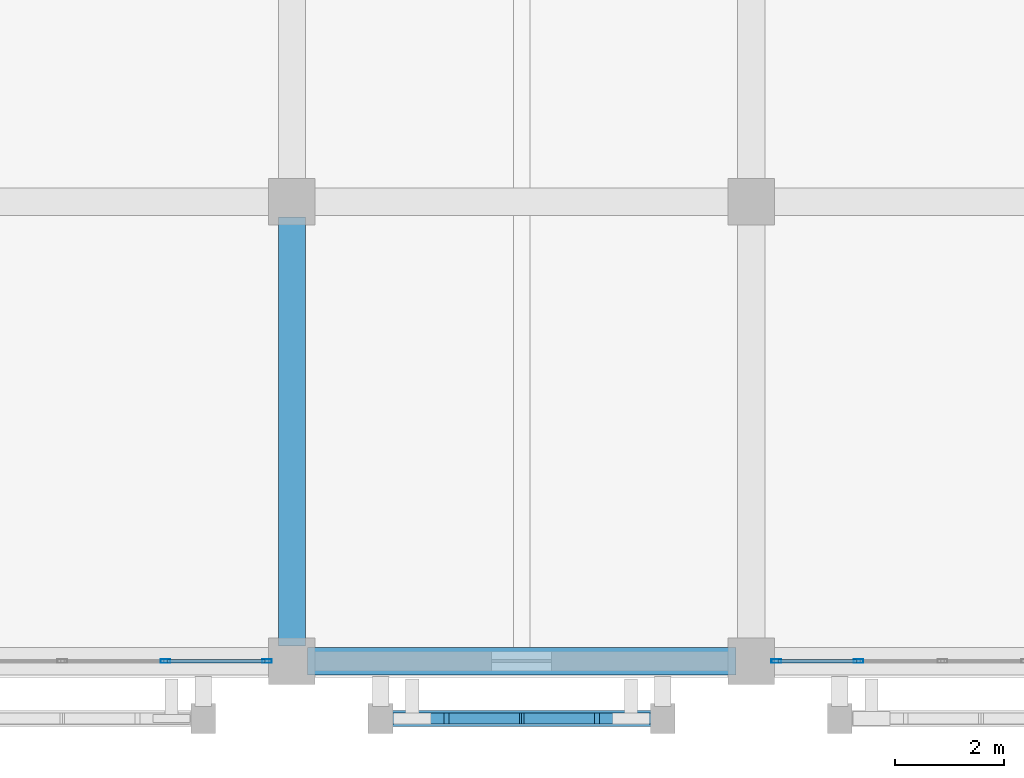
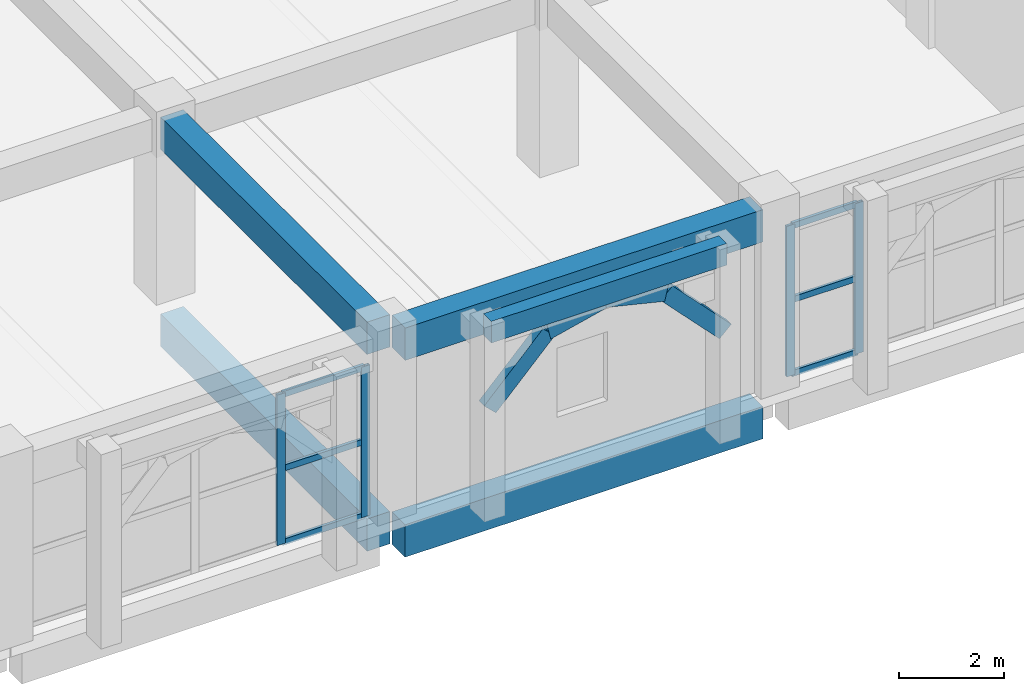
# One storey, part 11 of 129: 14 members, 5 beams, 2 elements without a shape of their own.
"""IFC4 building model written with IfcOpenShell, lengths in metres."""

from ifc_helpers import new_model, si_unit, direction, frame, origin, origin_2d, place, context, subcontext, project, spatial, rectangle, hollow_rectangle, extrude, material, layer, layer_set, material_profile, profile_set, type_object, element, aggregate, save


model = new_model("IFC4")

# Units and contexts
model_context = context("Model", 3, precision=1e-05, world=origin(), true_north=direction((0.0, 1.0)))
body_context = subcontext(model_context, "Body", "Model", "MODEL_VIEW")
ifc_project = project(units=[si_unit("LENGTHUNIT", "METRE"), si_unit("AREAUNIT", "SQUARE_METRE"), si_unit("VOLUMEUNIT", "CUBIC_METRE"), si_unit("PLANEANGLEUNIT", "RADIAN"), si_unit("MASSUNIT", "GRAM", prefix="KILO")], contexts=[model_context])

# Site, building, storey
site_placement = place(None, origin())
site = spatial("IfcSite", under=ifc_project, at=site_placement, CompositionType="ELEMENT")
building_placement = place(site_placement, origin())
building = spatial("IfcBuilding", under=site, at=building_placement, Name="Xazarin Passage Department Store", CompositionType="ELEMENT")
storey_placement = place(building_placement, frame((0.0, 0.0, 9.89990234375)))
storey = spatial("IfcBuildingStorey", under=building, at=storey_placement, Name="L02", CompositionType="ELEMENT", Elevation=9.89990234375)

# Curtain wall, members
ifc_material_1 = material(Name="Bronze anodised aluminium", Category="aluminium")
ifc_layer = layer(ifc_material_1, 0.18994140625)
ifc_layer_set = layer_set([ifc_layer], Name="Bronze anodised aluminium")
curtain_wall_type = type_object("IfcCurtainWallType", Name="ARC-CW-FDH1", PredefinedType="NOTDEFINED", material=ifc_layer_set)
curtain_wall_1_placement = place(storey_placement, origin())
curtain_wall_1 = element("IfcCurtainWall", 1, at=curtain_wall_1_placement, inside=storey, type_object=curtain_wall_type, Name="L02 V3 Curtain Wall 132", PredefinedType="NOTDEFINED")
ifc_material_profile_1 = material_profile(ifc_material_1, hollow_rectangle(XDim=0.06494140625, YDim=0.179931640625, WallThickness=0.00390625, at=origin_2d()), Name="ALU 65x180")
ifc_profile_set_1 = profile_set([ifc_material_profile_1], Name="Bronze anodised aluminium")
member_type_1 = type_object("IfcMemberType", Name="ARC-CWM-65x180", PredefinedType="MULLION", material=ifc_profile_set_1)
member_1_placement = place(storey_placement, frame((48.08740234375, 0.0, 0.0), z_axis=(0.0, 0.0, 1.0), x_axis=(0.0, 1.0, 0.0)))
member_1 = element("IfcMember", 2, at=member_1_placement, type_object=member_type_1, Name="CW5 mullion 4", PredefinedType="MULLION", context=body_context, shape_type="SweptSolid", body=[
    extrude(hollow_rectangle(XDim=0.06494140625, YDim=0.179931640625, WallThickness=0.00390625, at=origin_2d()), origin(), (0.0, 0.0, 1.0), 3.489990234375),
])
member_2_placement = place(storey_placement, frame((49.9423828125, 0.0, 0.0), z_axis=(0.0, 0.0, 1.0), x_axis=(0.0, 1.0, 0.0)))
member_2 = element("IfcMember", 3, at=member_2_placement, type_object=member_type_1, Name="CW5 mullion 5", PredefinedType="MULLION", context=body_context, shape_type="SweptSolid", body=[
    extrude(hollow_rectangle(XDim=0.06494140625, YDim=0.179931640625, WallThickness=0.00390625, at=origin_2d()), origin(), (0.0, 0.0, 1.0), 3.489990234375),
])

curtain_wall_2_placement = place(storey_placement, origin())
curtain_wall_2 = element("IfcCurtainWall", 4, at=curtain_wall_2_placement, inside=storey, type_object=curtain_wall_type, Name="L02 V3 Curtain Wall 133", PredefinedType="NOTDEFINED")
member_3_placement = place(storey_placement, frame((59.257568359375, 0.0, 0.0), z_axis=(0.0, 0.0, 1.0), x_axis=(0.0, 1.0, 0.0)))
member_3 = element("IfcMember", 5, at=member_3_placement, type_object=member_type_1, Name="CW5 mullion 1", PredefinedType="MULLION", context=body_context, shape_type="SweptSolid", body=[
    extrude(hollow_rectangle(XDim=0.06494140625, YDim=0.179931640625, WallThickness=0.00390625, at=origin_2d()), origin(), (0.0, 0.0, 1.0), 3.489990234375),
])
member_4_placement = place(storey_placement, frame((60.760009765625, 0.0, 0.0), z_axis=(0.0, 0.0, 1.0), x_axis=(0.0, 1.0, 0.0)))
member_4 = element("IfcMember", 6, at=member_4_placement, type_object=member_type_1, Name="CW5 mullion 2", PredefinedType="MULLION", context=body_context, shape_type="SweptSolid", body=[
    extrude(hollow_rectangle(XDim=0.06494140625, YDim=0.179931640625, WallThickness=0.00390625, at=origin_2d()), origin(), (0.0, 0.0, 1.0), 3.489990234375),
])

# Member
ifc_material_profile_2 = material_profile(ifc_material_1, hollow_rectangle(XDim=0.06494140625, YDim=0.139892578125, WallThickness=0.00390625, at=origin_2d()), Name="ALU 65x140")
ifc_profile_set_2 = profile_set([ifc_material_profile_2], Name="Bronze anodised aluminium")
member_type_2 = type_object("IfcMemberType", Name="ARC-CWT-65x140", PredefinedType="USERDEFINED", material=ifc_profile_set_2)
member_5_placement = place(storey_placement, frame((48.1201171875, 0.0, 0.03271484375), z_axis=(1.0, 0.0, 0.0), x_axis=(0.0, 1.0, 0.0)))
member_5 = element("IfcMember", 7, at=member_5_placement, type_object=member_type_2, Name="CW5 transom 4.1", ObjectType="TRANSOM", PredefinedType="USERDEFINED", context=body_context, shape_type="SweptSolid", body=[
    extrude(hollow_rectangle(XDim=0.06494140625, YDim=0.139892578125, WallThickness=0.00390625, at=origin_2d()), origin(), (0.0, 0.0, 1.0), 1.789794921875),
])

member_6_placement = place(storey_placement, frame((48.1201171875, 0.0, 1.7451171875), z_axis=(1.0, 0.0, 0.0), x_axis=(0.0, 1.0, 0.0)))
member_6 = element("IfcMember", 8, at=member_6_placement, type_object=member_type_2, Name="CW5 transom 4.2", ObjectType="TRANSOM", PredefinedType="USERDEFINED", context=body_context, shape_type="SweptSolid", body=[
    extrude(hollow_rectangle(XDim=0.06494140625, YDim=0.139892578125, WallThickness=0.00390625, at=origin_2d()), origin(), (0.0, 0.0, 1.0), 1.789794921875),
])

member_7_placement = place(storey_placement, frame((48.1201171875, 0.0, 3.45751953125), z_axis=(1.0, 0.0, 0.0), x_axis=(0.0, 1.0, 0.0)))
member_7 = element("IfcMember", 9, at=member_7_placement, type_object=member_type_2, Name="CW5 transom 4.3", ObjectType="TRANSOM", PredefinedType="USERDEFINED", context=body_context, shape_type="SweptSolid", body=[
    extrude(hollow_rectangle(XDim=0.06494140625, YDim=0.139892578125, WallThickness=0.00390625, at=origin_2d()), origin(), (0.0, 0.0, 1.0), 1.789794921875),
])

aggregate(curtain_wall_1, [member_1, member_2, member_5, member_6, member_7])

member_8_placement = place(storey_placement, frame((59.2900390625, 0.0, 0.03271484375), z_axis=(1.0, 0.0, 0.0), x_axis=(0.0, 1.0, 0.0)))
member_8 = element("IfcMember", 10, at=member_8_placement, type_object=member_type_2, Name="CW5 transom 1.1", ObjectType="TRANSOM", PredefinedType="USERDEFINED", context=body_context, shape_type="SweptSolid", body=[
    extrude(hollow_rectangle(XDim=0.06494140625, YDim=0.139892578125, WallThickness=0.00390625, at=origin_2d()), origin(), (0.0, 0.0, 1.0), 1.4375),
])

member_9_placement = place(storey_placement, frame((59.2900390625, 0.0, 1.7451171875), z_axis=(1.0, 0.0, 0.0), x_axis=(0.0, 1.0, 0.0)))
member_9 = element("IfcMember", 11, at=member_9_placement, type_object=member_type_2, Name="CW5 transom 1.2", ObjectType="TRANSOM", PredefinedType="USERDEFINED", context=body_context, shape_type="SweptSolid", body=[
    extrude(hollow_rectangle(XDim=0.06494140625, YDim=0.139892578125, WallThickness=0.00390625, at=origin_2d()), origin(), (0.0, 0.0, 1.0), 1.4375),
])

member_10_placement = place(storey_placement, frame((59.2900390625, 0.0, 3.45751953125), z_axis=(1.0, 0.0, 0.0), x_axis=(0.0, 1.0, 0.0)))
member_10 = element("IfcMember", 12, at=member_10_placement, type_object=member_type_2, Name="CW5 transom 1.3", ObjectType="TRANSOM", PredefinedType="USERDEFINED", context=body_context, shape_type="SweptSolid", body=[
    extrude(hollow_rectangle(XDim=0.06494140625, YDim=0.139892578125, WallThickness=0.00390625, at=origin_2d()), origin(), (0.0, 0.0, 1.0), 1.4375),
])

aggregate(curtain_wall_2, [member_3, member_4, member_8, member_9, member_10])

# Beams
ifc_material_2 = material(Name="Concrete C35/45", Category="concrete")
ifc_material_profile_3 = material_profile(ifc_material_2, rectangle(XDim=0.300048828125, YDim=0.5, at=origin_2d()), Name="RC 300x500")
ifc_profile_set_3 = profile_set([ifc_material_profile_3], Name="Concrete C35/45")
beam_type_1 = type_object("IfcBeamType", Name="STR-BM-LN300x500", PredefinedType="LINTEL", material=ifc_profile_set_3)
beam_placement = place(storey_placement, frame((52.02001953125, -1.050048828125, 4.25), z_axis=(1.0, 0.0, 0.0), x_axis=(0.0, 1.0, 0.0)))
element("IfcBeam", 13, at=beam_placement, inside=storey, type_object=beam_type_1, Name="L02 V3 Colonnade Spandrel Beam 032", PredefinedType="LINTEL", context=body_context, shape_type="SweptSolid", body=[
    extrude(rectangle(XDim=0.300048828125, YDim=0.5, at=origin_2d()), origin(), (0.0, 0.0, 1.0), 5.159912109375),
])
ifc_material_profile_4 = material_profile(ifc_material_2, rectangle(XDim=0.5, YDim=0.75, at=origin_2d()), Name="RC 500x750")
ifc_profile_set_4 = profile_set([ifc_material_profile_4], Name="Concrete C35/45")
beam_type_2 = type_object("IfcBeamType", Name="STR-BM-SP500x750", PredefinedType="SPANDREL", material=ifc_profile_set_4)
for number, where, z_axis, x_axis, name in (
    (14, (50.679931640625, 0.0, -0.69482421875), (1.0, 0.0, 0.0), (0.0, 1.0, 0.0), "L02 Grid Beam A/7-8"),
    (15, (50.39990234375, 0.280029296875, -0.69482421875), (0.0, 1.0, 0.0), (-1.0, 0.0, 0.0), "L02 Grid Beam 7/A-B"),
    (16, (50.679931640625, 0.0, 3.864990234375), (1.0, 0.0, 0.0), (0.0, 1.0, 0.0), "L02 Grid Beam A/7-8"),
    (17, (50.39990234375, 0.280029296875, 3.864990234375), (0.0, 1.0, 0.0), (-1.0, 0.0, 0.0), "L02 Grid Beam 7/A-B"),
):
    element("IfcBeam", number, at=place(storey_placement, frame(where, z_axis=z_axis, x_axis=x_axis)), inside=storey, type_object=beam_type_2, Name=name, PredefinedType="SPANDREL", context=body_context, shape_type="SweptSolid", body=[
        extrude(rectangle(XDim=0.5, YDim=0.75, at=origin_2d()), origin(), (0.0, 0.0, 1.0), 7.840087890625),
    ])

# Members
ifc_material_3 = material(Name="Concrete C40/50", Category="concrete")
ifc_material_profile_5 = material_profile(ifc_material_3, rectangle(XDim=0.199951171875, YDim=0.360107421875, at=origin_2d()), Name="RC 200x360")
ifc_profile_set_5 = profile_set([ifc_material_profile_5], Name="Concrete C40/50")
member_type_3 = type_object("IfcMemberType", Name="STR-MEM-ARC360", PredefinedType="CHORD", material=ifc_profile_set_5)
member_11_placement = place(storey_placement, frame((52.02001953125, -1.050048828125, 2.43017578125), z_axis=(0.693460080602, 0.0, 0.720495049679), x_axis=(0.0, 1.0, 0.0)))
element("IfcMember", 18, at=member_11_placement, inside=storey, type_object=member_type_3, Name="L02 V3 Pierced Lattice Curved Arch 032.1", PredefinedType="CHORD", context=body_context, shape_type="SweptSolid", body=[
    extrude(rectangle(XDim=0.199951171875, YDim=0.360107421875, at=origin_2d()), origin(), (0.0, 0.0, 1.0), 1.8603515625),
])
member_12_placement = place(storey_placement, frame((53.31005859375, -1.050048828125, 3.7705078125), z_axis=(0.972393983317, 0.0, 0.233345111818), x_axis=(0.0, 1.0, 0.0)))
element("IfcMember", 19, at=member_12_placement, inside=storey, type_object=member_type_3, Name="L02 V3 Pierced Lattice Curved Arch 032.2", PredefinedType="CHORD", context=body_context, shape_type="SweptSolid", body=[
    extrude(rectangle(XDim=0.199951171875, YDim=0.360107421875, at=origin_2d()), origin(), (0.0, 0.0, 1.0), 1.32666015625),
])
member_13_placement = place(storey_placement, frame((54.60009765625, -1.050048828125, 4.080078125), z_axis=(0.972383960415, 0.0, -0.233386875224), x_axis=(0.0, 1.0, 0.0)))
element("IfcMember", 20, at=member_13_placement, inside=storey, type_object=member_type_3, Name="L02 V3 Pierced Lattice Curved Arch 032.3", PredefinedType="CHORD", context=body_context, shape_type="SweptSolid", body=[
    extrude(rectangle(XDim=0.199951171875, YDim=0.360107421875, at=origin_2d()), origin(), (0.0, 0.0, 1.0), 1.326416015625),
])
member_14_placement = place(storey_placement, frame((55.889892578125, -1.050048828125, 3.7705078125), z_axis=(0.693460080602, 0.0, -0.720495049679), x_axis=(0.0, 1.0, 0.0)))
element("IfcMember", 21, at=member_14_placement, inside=storey, type_object=member_type_3, Name="L02 V3 Pierced Lattice Curved Arch 032.4", PredefinedType="CHORD", context=body_context, shape_type="SweptSolid", body=[
    extrude(rectangle(XDim=0.199951171875, YDim=0.360107421875, at=origin_2d()), origin(), (0.0, 0.0, 1.0), 1.8603515625),
])

save(model, "model.ifc")
